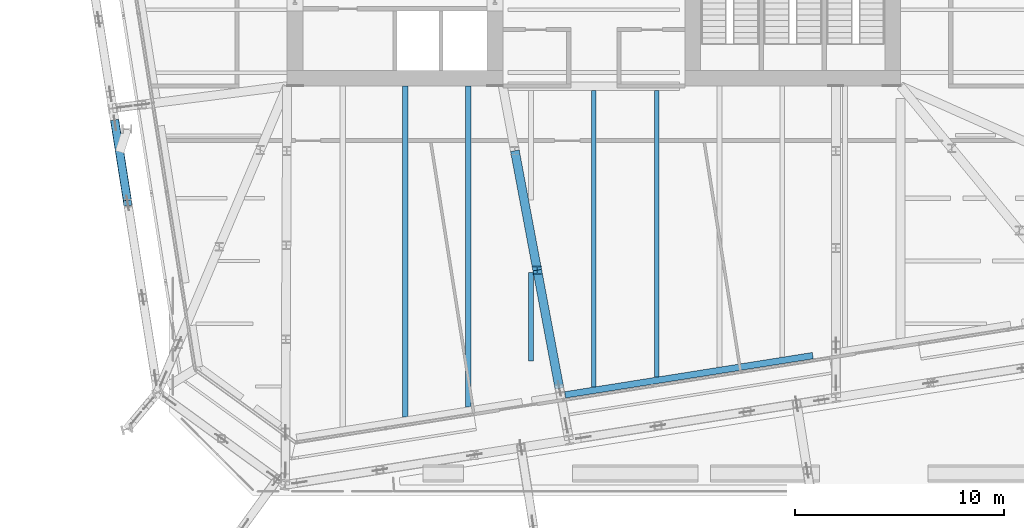
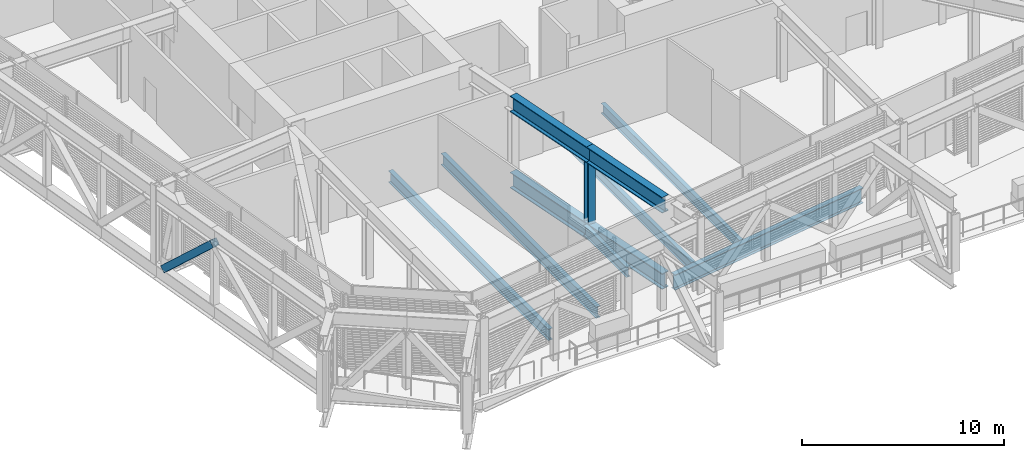
# One storey, part 3 of 32: 10 beams, 2 members.
"""IFC4 building model written with IfcOpenShell, lengths in metres."""

from ifc_helpers import new_model, si_unit, direction, frame, origin, origin_2d, place, context, subcontext, project, spatial, hollow_rectangle, i_section, extrude, material, material_profile, profile_set, type_object, element, save


model = new_model("IFC4")

# Units and contexts
model_context = context("Model", 3, precision=1e-05, world=origin(), true_north=direction((0.0, 1.0)))
body_context = subcontext(model_context, "Body", "Model", "MODEL_VIEW")
ifc_project = project(units=[si_unit("LENGTHUNIT", "METRE"), si_unit("AREAUNIT", "SQUARE_METRE"), si_unit("VOLUMEUNIT", "CUBIC_METRE"), si_unit("PLANEANGLEUNIT", "RADIAN"), si_unit("MASSUNIT", "GRAM", prefix="KILO")], contexts=[model_context])

# Site, building, storey
site_placement = place(None, origin())
site = spatial("IfcSite", under=ifc_project, at=site_placement, CompositionType="ELEMENT")
building_placement = place(site_placement, origin())
building = spatial("IfcBuilding", under=site, at=building_placement, Name="Millrace Tower", CompositionType="ELEMENT")
storey_placement = place(building_placement, frame((0.0, 0.0, 124.89990234375)))
storey = spatial("IfcBuildingStorey", under=building, at=storey_placement, Name="L27", CompositionType="ELEMENT", Elevation=124.89990234375)

# Beams
ifc_material_1 = material(Name="Steel ASTM A992 Grade 50", Category="steel")
ifc_material_profile_1 = material_profile(ifc_material_1, i_section(OverallWidth=0.228271484375, OverallDepth=0.607177734375, WebThickness=0.01123046875, FlangeThickness=0.017333984375, FilletRadius=0.0126953125, at=origin_2d()))
ifc_profile_set_1 = profile_set([ifc_material_profile_1], Name="Steel ASTM A992 Grade 50")
beam_type_1 = type_object("IfcBeamType", Name="Floor beam W24x76", PredefinedType="JOIST", material=ifc_profile_set_1)
beam_1_placement = place(storey_placement, frame((0.0, -24.021728515625, -0.46337890625), z_axis=(0.0, 1.0, 0.0), x_axis=(-1.0, 0.0, 0.0)))
element("IfcBeam", 1, at=beam_1_placement, inside=storey, type_object=beam_type_1, Name="BM-C-L27-S1-S048", PredefinedType="JOIST", context=body_context, shape_type="SweptSolid", body=[
    extrude(i_section(OverallWidth=0.228271484375, OverallDepth=0.607177734375, WebThickness=0.01123046875, FlangeThickness=0.017333984375, FilletRadius=0.0126953125, at=origin_2d()), origin(), (0.0, 0.0, 1.0), 14.162109375),
])
beam_2_placement = place(storey_placement, frame((3.0, -23.546630859375, -0.46337890625), z_axis=(0.0, 1.0, 0.0), x_axis=(-1.0, 0.0, 0.0)))
element("IfcBeam", 2, at=beam_2_placement, inside=storey, type_object=beam_type_1, Name="BM-C-L27-S1-S050", PredefinedType="JOIST", context=body_context, shape_type="SweptSolid", body=[
    extrude(i_section(OverallWidth=0.228271484375, OverallDepth=0.607177734375, WebThickness=0.01123046875, FlangeThickness=0.017333984375, FilletRadius=0.0126953125, at=origin_2d()), origin(), (0.0, 0.0, 1.0), 13.68701171875),
])
beam_3_placement = place(storey_placement, frame((-3.0, -22.775146484375, -0.46337890625), z_axis=(0.0, 1.0, 0.0), x_axis=(-1.0, 0.0, 0.0)))
element("IfcBeam", 3, at=beam_3_placement, inside=storey, type_object=beam_type_1, Name="BM-C-L27-S1-S046-a", PredefinedType="JOIST", context=body_context, shape_type="SweptSolid", body=[
    extrude(i_section(OverallWidth=0.228271484375, OverallDepth=0.607177734375, WebThickness=0.01123046875, FlangeThickness=0.017333984375, FilletRadius=0.0126953125, at=origin_2d()), origin(), (0.0, 0.0, 1.0), 4.23046875),
])
ifc_material_2 = material(Name="Steel ASTM A992 Grade 50", Category="steel")
ifc_material_profile_2 = material_profile(ifc_material_2, i_section(OverallWidth=0.256591796875, OverallDepth=0.693359375, WebThickness=0.014404296875, FlangeThickness=0.023681640625, FilletRadius=0.01513671875, at=origin_2d()))
ifc_profile_set_2 = profile_set([ifc_material_profile_2], Name="Steel ASTM A992 Grade 50")
beam_type_2 = type_object("IfcBeamType", Name="Floor beam W27x114", PredefinedType="JOIST", material=ifc_profile_set_2)
beam_4_placement = place(storey_placement, frame((-9.0, -25.447265625, -0.506591796875), z_axis=(0.0, 1.0, 0.0), x_axis=(-1.0, 0.0, 0.0)))
element("IfcBeam", 4, at=beam_4_placement, inside=storey, type_object=beam_type_2, Name="BM-C-L27-S1-S042", PredefinedType="JOIST", context=body_context, shape_type="SweptSolid", body=[
    extrude(i_section(OverallWidth=0.256591796875, OverallDepth=0.693359375, WebThickness=0.014404296875, FlangeThickness=0.023681640625, FilletRadius=0.01513671875, at=origin_2d()), origin(), (0.0, 0.0, 1.0), 15.79736328125),
])
beam_5_placement = place(storey_placement, frame((-6.0, -24.97216796875, -0.506591796875), z_axis=(0.0, 1.0, 0.0), x_axis=(-1.0, 0.0, 0.0)))
element("IfcBeam", 5, at=beam_5_placement, inside=storey, type_object=beam_type_2, Name="BM-C-L27-S1-S044", PredefinedType="JOIST", context=body_context, shape_type="SweptSolid", body=[
    extrude(i_section(OverallWidth=0.256591796875, OverallDepth=0.693359375, WebThickness=0.014404296875, FlangeThickness=0.023681640625, FilletRadius=0.01513671875, at=origin_2d()), origin(), (0.0, 0.0, 1.0), 15.322265625),
])
ifc_material_3 = material(Name="Steel ASTM A992 Grade 50", Category="steel")
ifc_material_profile_3 = material_profile(ifc_material_3, i_section(OverallWidth=0.307373046875, OverallDepth=0.927001953125, WebThickness=0.01953125, FlangeThickness=0.031982421875, FilletRadius=0.01904296875, at=origin_2d()))
ifc_profile_set_3 = profile_set([ifc_material_profile_3], Name="Steel ASTM A992 Grade 50")
beam_type_3 = type_object("IfcBeamType", Name="Ring beam short span W36x194", PredefinedType="SPANDREL", material=ifc_profile_set_3)
beam_6_placement = place(storey_placement, frame((10.456787109375, -22.521240234375, -0.62353515625), z_axis=(-0.987687634406, -0.156438923681, 0.0), x_axis=(0.156438923681, -0.987687634406, 0.0)))
element("IfcBeam", 6, at=beam_6_placement, inside=storey, type_object=beam_type_3, Name="RNG-C-L27-S1-14", PredefinedType="SPANDREL", context=body_context, shape_type="SweptSolid", body=[
    extrude(i_section(OverallWidth=0.307373046875, OverallDepth=0.927001953125, WebThickness=0.01953125, FlangeThickness=0.031982421875, FilletRadius=0.01904296875, at=origin_2d()), origin(), (0.0, 0.0, 1.0), 11.974609375),
])

# Member
ifc_material_4 = material(Name="Steel ASTM A992 Grade 50", Category="steel")
ifc_material_profile_4 = material_profile(ifc_material_4, i_section(OverallWidth=0.406494140625, OverallDepth=0.41650390625, WebThickness=0.030029296875, FlangeThickness=0.048095703125, FilletRadius=0.01513671875, at=origin_2d()))
ifc_profile_set_4 = profile_set([ifc_material_profile_4], Name="Steel ASTM A992 Grade 50")
member_type_1 = type_object("IfcMemberType", Name="Transfer truss Vierendeel moment post W14x257", PredefinedType="POST", material=ifc_profile_set_4)
member_1_placement = place(storey_placement, frame((-2.7021484375, -18.4365234375, -0.159912109375), z_axis=(0.0, 0.0, 1.0), x_axis=(1.0, 0.0, 0.0)))
element("IfcMember", 7, at=member_1_placement, inside=storey, type_object=member_type_1, Name="TRS-L27-C03-V02", PredefinedType="POST", context=body_context, shape_type="SweptSolid", body=[
    extrude(i_section(OverallWidth=0.406494140625, OverallDepth=0.41650390625, WebThickness=0.030029296875, FlangeThickness=0.048095703125, FilletRadius=0.01513671875, at=origin_2d()), origin(), (0.0, 0.0, 1.0), 3.642333984375),
])

# Beams
ifc_material_5 = material(Name="Steel ASTM A992 Grade 50", Category="steel")
ifc_material_profile_5 = material_profile(ifc_material_5, i_section(OverallWidth=0.421630859375, OverallDepth=0.95751953125, WebThickness=0.02587890625, FlangeThickness=0.046875, FilletRadius=0.024169921875, at=origin_2d()))
ifc_profile_set_5 = profile_set([ifc_material_profile_5], Name="Steel ASTM A992 Grade 50")
beam_type_4 = type_object("IfcBeamType", Name="Transfer truss chord W36x330", PredefinedType="BEAM", material=ifc_profile_set_5)
for number, where, z_axis, x_axis, name in (
    (8, (-1.642333984375, -24.087890625, -0.638671875), (-0.184319298505, 0.982866418288, 0.0), (-0.982866418288, -0.184319298505, 0.0), "TRS-L27-C03-B02"),
    (9, (-1.642333984375, -24.087890625, 3.96142578125), (-0.184319298505, 0.982866418288, 0.0), (-0.982866418288, -0.184319298505, 0.0), "TRS-L27-C03-T02"),
):
    element("IfcBeam", number, at=place(storey_placement, frame(where, z_axis=z_axis, x_axis=x_axis)), inside=storey, type_object=beam_type_4, Name=name, PredefinedType="BEAM", context=body_context, shape_type="SweptSolid", body=[
        extrude(i_section(OverallWidth=0.421630859375, OverallDepth=0.95751953125, WebThickness=0.02587890625, FlangeThickness=0.046875, FilletRadius=0.024169921875, at=origin_2d()), origin(), (0.0, 0.0, 1.0), 5.75),
    ])
for number, where, z_axis, x_axis, name in (
    (10, (-2.7021484375, -18.4365234375, -0.638671875), (-0.184339367981, 0.982862654399, 0.0), (-0.982862654399, -0.184339367981, 0.0), "TRS-L27-C03-B03"),
    (11, (-2.7021484375, -18.4365234375, 3.96142578125), (-0.184339367981, 0.982862654399, 0.0), (-0.982862654399, -0.184339367981, 0.0), "TRS-L27-C03-T03"),
):
    element("IfcBeam", number, at=place(storey_placement, frame(where, z_axis=z_axis, x_axis=x_axis)), inside=storey, type_object=beam_type_4, Name=name, PredefinedType="BEAM", context=body_context, shape_type="SweptSolid", body=[
        extrude(i_section(OverallWidth=0.421630859375, OverallDepth=0.95751953125, WebThickness=0.02587890625, FlangeThickness=0.046875, FilletRadius=0.024169921875, at=origin_2d()), origin(), (0.0, 0.0, 1.0), 5.799560546875),
    ])

# Member
ifc_material_6 = material(Name="Steel ASTM A500 Grade C", Category="steel")
ifc_material_profile_6 = material_profile(ifc_material_6, hollow_rectangle(XDim=0.406494140625, YDim=0.406494140625, WallThickness=0.0126953125, InnerFilletRadius=0.00634765625, OuterFilletRadius=0.01904296875, at=origin_2d()))
ifc_profile_set_6 = profile_set([ifc_material_profile_6], Name="Steel ASTM A500 Grade C")
member_type_2 = type_object("IfcMemberType", Name="Transfer truss diagonal HSS16x16x1/2", PredefinedType="BRACE", material=ifc_profile_set_6)
member_2_placement = place(storey_placement, frame((-22.867431640625, -11.401123046875, -0.159912109375), z_axis=(0.113971577605, -0.719769757725, 0.684793381512), x_axis=(0.987694436043, 0.156395975046, 0.0)))
element("IfcMember", 12, at=member_2_placement, inside=storey, type_object=member_type_2, Name="TRS-L27-R16-D01", PredefinedType="BRACE", context=body_context, shape_type="SweptSolid", body=[
    extrude(hollow_rectangle(XDim=0.406494140625, YDim=0.406494140625, WallThickness=0.0126953125, InnerFilletRadius=0.00634765625, OuterFilletRadius=0.01904296875, at=origin_2d()), origin(), (0.0, 0.0, 1.0), 5.31884765625),
])

save(model, "model.ifc")
